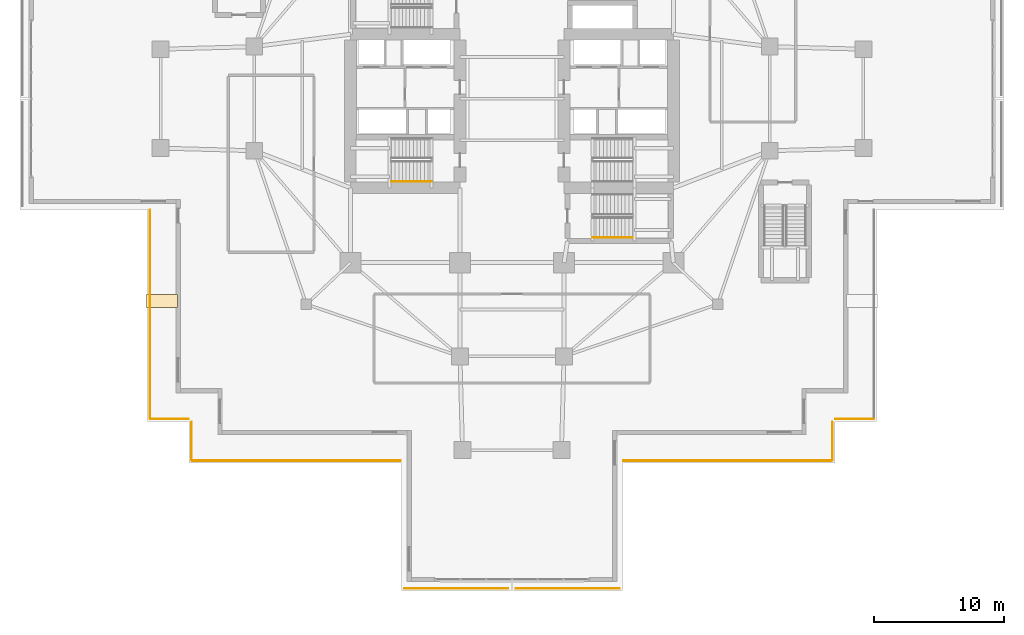
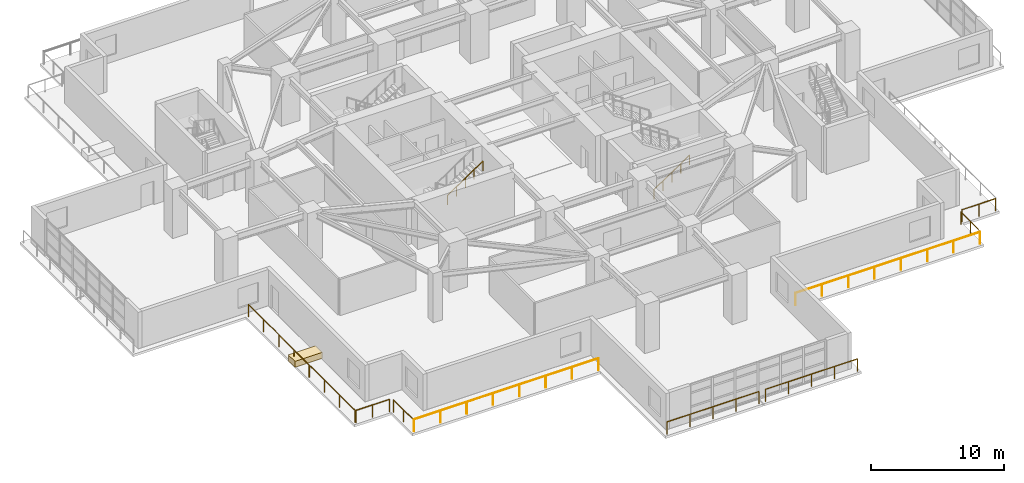
# One storey, part 19 of 24: 11 railings, 1 covering.
"""IFC4 building model written with IfcOpenShell, lengths in metres."""

from ifc_helpers import new_model, si_unit, direction, frame, origin, origin_2d, place, context, subcontext, project, spatial, rectangle, circle, extrude, material, layer, layer_set, type_object, element, save


model = new_model("IFC4")

# Units and contexts
model_context = context("Model", 3, precision=1e-05, world=origin(), true_north=direction((0.0, 1.0)))
body_context = subcontext(model_context, "Body", "Model", "MODEL_VIEW")
ifc_project = project(units=[si_unit("LENGTHUNIT", "METRE"), si_unit("AREAUNIT", "SQUARE_METRE"), si_unit("VOLUMEUNIT", "CUBIC_METRE"), si_unit("PLANEANGLEUNIT", "RADIAN"), si_unit("MASSUNIT", "GRAM", prefix="KILO")], contexts=[model_context])

# Site, building, storey
site_placement = place(None, origin())
site = spatial("IfcSite", under=ifc_project, at=site_placement, CompositionType="ELEMENT")
building_placement = place(site_placement, origin())
building = spatial("IfcBuilding", under=site, at=building_placement, Name="Qingluan Cross Belvedere", CompositionType="ELEMENT")
storey_placement = place(building_placement, frame((0.0, 0.0, 14.699951171875)))
storey = spatial("IfcBuildingStorey", under=building, at=storey_placement, Name="L04", CompositionType="ELEMENT", Elevation=14.699951171875)

# Railings
ifc_material_1 = material(Name="Brushed stainless steel tubular handrail", Category="steel")
railing_type_1 = type_object("IfcRailingType", Name="StairPitchHandrail_900", PredefinedType="HANDRAIL", material=ifc_material_1)
for number, where, name in (
    (1, (-9.260009765625, -6.35009765625, 2.4375), "L04 ST1 stair handrail 2"),
    (2, (6.179931640625, -10.669921875, 0.1875), "L04 ST4 stair handrail 1"),
):
    element("IfcRailing", number, at=place(storey_placement, frame(where)), inside=storey, type_object=railing_type_1, Name=name, PredefinedType="HANDRAIL", context=body_context, shape_type="SweptSolid", body=[
        extrude(circle(Radius=0.02392578125, at=origin_2d()), frame((0.0, 0.0, 0.8759765625), z_axis=(0.830913701846, 0.0, 0.55640131208), x_axis=(0.0, 1.0, 0.0)), (0.0, 0.0, 1.0), 3.706787109375),
        extrude(circle(Radius=0.02099609375, at=origin_2d()), origin(), (0.0, 0.0, 1.0), 0.851806640625),
        extrude(circle(Radius=0.02099609375, at=origin_2d()), frame((0.77001953125, 0.0, 0.515625)), (0.0, 0.0, 1.0), 0.851806640625),
        extrude(circle(Radius=0.02099609375, at=origin_2d()), frame((1.5400390625, 0.0, 1.03125)), (0.0, 0.0, 1.0), 0.851806640625),
        extrude(circle(Radius=0.02099609375, at=origin_2d()), frame((2.31005859375, 0.0, 1.546875)), (0.0, 0.0, 1.0), 0.851806640625),
        extrude(circle(Radius=0.02099609375, at=origin_2d()), frame((3.080078125, 0.0, 2.0625)), (0.0, 0.0, 1.0), 0.851806640625),
    ])
ifc_material_2 = material(Name="Laminated glass and stainless steel balustrade", Category="steel")
railing_type_2 = type_object("IfcRailingType", Name="TerraceGuardBalustrade_1150", PredefinedType="BALUSTRADE", material=ifc_material_2)
railing_1_placement = place(storey_placement, frame((-0.2900390625, -37.6201171875, 0.0)))
element("IfcRailing", 3, at=railing_1_placement, inside=storey, type_object=railing_type_2, Name="Terrace guard L04-1", PredefinedType="BALUSTRADE", context=body_context, shape_type="SweptSolid", body=[
    extrude(circle(Radius=0.02392578125, at=origin_2d()), frame((0.0, 0.0, 1.1259765625), z_axis=(-1.0, 0.0, 0.0), x_axis=(0.0, -1.0, 0.0)), (0.0, 0.0, 1.0), 7.969970703125),
    extrude(circle(Radius=0.02099609375, at=origin_2d()), origin(), (0.0, 0.0, 1.0), 1.101806640625),
    extrude(circle(Radius=0.02099609375, at=origin_2d()), frame((-1.992431640625, 0.0, 0.0)), (0.0, 0.0, 1.0), 1.101806640625),
    extrude(circle(Radius=0.02099609375, at=origin_2d()), frame((-3.98486328125, 0.0, 0.0)), (0.0, 0.0, 1.0), 1.101806640625),
    extrude(circle(Radius=0.02099609375, at=origin_2d()), frame((-5.9775390625, 0.0, 0.0)), (0.0, 0.0, 1.0), 1.101806640625),
    extrude(circle(Radius=0.02099609375, at=origin_2d()), frame((-7.969970703125, 0.0, 0.0)), (0.0, 0.0, 1.0), 1.101806640625),
])
railing_2_placement = place(storey_placement, frame((-8.56005859375, -27.820068359375, 0.0)))
element("IfcRailing", 4, at=railing_2_placement, inside=storey, type_object=railing_type_2, Name="Terrace guard L04-2", PredefinedType="BALUSTRADE", context=body_context, shape_type="SweptSolid", body=[
    extrude(circle(Radius=0.02392578125, at=origin_2d()), frame((0.0, 0.0, 1.1259765625), z_axis=(-1.0, 0.0, 0.0), x_axis=(0.0, -1.0, 0.0)), (0.0, 0.0, 1.0), 16.0),
    extrude(circle(Radius=0.02099609375, at=origin_2d()), origin(), (0.0, 0.0, 1.0), 1.101806640625),
    extrude(circle(Radius=0.02099609375, at=origin_2d()), frame((-2.28564453125, 0.0, 0.0)), (0.0, 0.0, 1.0), 1.101806640625),
    extrude(circle(Radius=0.02099609375, at=origin_2d()), frame((-4.571533203125, 0.0, 0.0)), (0.0, 0.0, 1.0), 1.101806640625),
    extrude(circle(Radius=0.02099609375, at=origin_2d()), frame((-6.857177734375, 0.0, 0.0)), (0.0, 0.0, 1.0), 1.101806640625),
    extrude(circle(Radius=0.02099609375, at=origin_2d()), frame((-9.142822265625, 0.0, 0.0)), (0.0, 0.0, 1.0), 1.101806640625),
    extrude(circle(Radius=0.02099609375, at=origin_2d()), frame((-11.428466796875, 0.0, 0.0)), (0.0, 0.0, 1.0), 1.101806640625),
    extrude(circle(Radius=0.02099609375, at=origin_2d()), frame((-13.71435546875, 0.0, 0.0)), (0.0, 0.0, 1.0), 1.101806640625),
    extrude(circle(Radius=0.02099609375, at=origin_2d()), frame((-16.0, 0.0, 0.0)), (0.0, 0.0, 1.0), 1.101806640625),
])
railing_3_placement = place(storey_placement, frame((-24.6201171875, -27.760009765625, 0.0)))
element("IfcRailing", 5, at=railing_3_placement, inside=storey, type_object=railing_type_2, Name="Terrace guard L04-3", PredefinedType="BALUSTRADE", context=body_context, shape_type="SweptSolid", body=[
    extrude(circle(Radius=0.02392578125, at=origin_2d()), frame((0.0, 0.0, 1.1259765625), z_axis=(0.0, 1.0, 0.0), x_axis=(-1.0, 0.0, 0.0)), (0.0, 0.0, 1.0), 2.89990234375),
    extrude(circle(Radius=0.02099609375, at=origin_2d()), origin(), (0.0, 0.0, 1.0), 1.101806640625),
    extrude(circle(Radius=0.02099609375, at=origin_2d()), frame((0.0, 1.449951171875, 0.0)), (0.0, 0.0, 1.0), 1.101806640625),
    extrude(circle(Radius=0.02099609375, at=origin_2d()), frame((0.0, 2.89990234375, 0.0)), (0.0, 0.0, 1.0), 1.101806640625),
])
railing_4_placement = place(storey_placement, frame((-24.860107421875, -24.6201171875, 0.0)))
element("IfcRailing", 6, at=railing_4_placement, inside=storey, type_object=railing_type_2, Name="Terrace guard L04-4", PredefinedType="BALUSTRADE", context=body_context, shape_type="SweptSolid", body=[
    extrude(circle(Radius=0.02392578125, at=origin_2d()), frame((0.0, 0.0, 1.1259765625), z_axis=(-1.0, 0.0, 0.0), x_axis=(0.0, -1.0, 0.0)), (0.0, 0.0, 1.0), 2.89990234375),
    extrude(circle(Radius=0.02099609375, at=origin_2d()), origin(), (0.0, 0.0, 1.0), 1.101806640625),
    extrude(circle(Radius=0.02099609375, at=origin_2d()), frame((-1.449951171875, 0.0, 0.0)), (0.0, 0.0, 1.0), 1.101806640625),
    extrude(circle(Radius=0.02099609375, at=origin_2d()), frame((-2.89990234375, 0.0, 0.0)), (0.0, 0.0, 1.0), 1.101806640625),
])
railing_5_placement = place(storey_placement, frame((-27.820068359375, -24.56005859375, 0.0)))
element("IfcRailing", 7, at=railing_5_placement, inside=storey, type_object=railing_type_2, Name="Terrace guard L04-5", PredefinedType="BALUSTRADE", context=body_context, shape_type="SweptSolid", body=[
    extrude(circle(Radius=0.02392578125, at=origin_2d()), frame((0.0, 0.0, 1.1259765625), z_axis=(0.0, 1.0, 0.0), x_axis=(-1.0, 0.0, 0.0)), (0.0, 0.0, 1.0), 16.0),
    extrude(circle(Radius=0.02099609375, at=origin_2d()), origin(), (0.0, 0.0, 1.0), 1.101806640625),
    extrude(circle(Radius=0.02099609375, at=origin_2d()), frame((0.0, 2.28564453125, 0.0)), (0.0, 0.0, 1.0), 1.101806640625),
    extrude(circle(Radius=0.02099609375, at=origin_2d()), frame((0.0, 4.571533203125, 0.0)), (0.0, 0.0, 1.0), 1.101806640625),
    extrude(circle(Radius=0.02099609375, at=origin_2d()), frame((0.0, 6.857177734375, 0.0)), (0.0, 0.0, 1.0), 1.101806640625),
    extrude(circle(Radius=0.02099609375, at=origin_2d()), frame((0.0, 9.142822265625, 0.0)), (0.0, 0.0, 1.0), 1.101806640625),
    extrude(circle(Radius=0.02099609375, at=origin_2d()), frame((0.0, 11.428466796875, 0.0)), (0.0, 0.0, 1.0), 1.101806640625),
    extrude(circle(Radius=0.02099609375, at=origin_2d()), frame((0.0, 13.71435546875, 0.0)), (0.0, 0.0, 1.0), 1.101806640625),
    extrude(circle(Radius=0.02099609375, at=origin_2d()), frame((0.0, 16.0, 0.0)), (0.0, 0.0, 1.0), 1.101806640625),
])
railing_6_placement = place(storey_placement, frame((8.260009765625, -37.6201171875, 0.0)))
element("IfcRailing", 8, at=railing_6_placement, inside=storey, type_object=railing_type_2, Name="Terrace guard L04-1", PredefinedType="BALUSTRADE", context=body_context, shape_type="SweptSolid", body=[
    extrude(circle(Radius=0.02392578125, at=origin_2d()), frame((0.0, 0.0, 1.1259765625), z_axis=(-1.0, 0.0, 0.0), x_axis=(0.0, -1.0, 0.0)), (0.0, 0.0, 1.0), 7.969970703125),
    extrude(circle(Radius=0.02099609375, at=origin_2d()), origin(), (0.0, 0.0, 1.0), 1.101806640625),
    extrude(circle(Radius=0.02099609375, at=origin_2d()), frame((-1.992431640625, 0.0, 0.0)), (0.0, 0.0, 1.0), 1.101806640625),
    extrude(circle(Radius=0.02099609375, at=origin_2d()), frame((-3.98486328125, 0.0, 0.0)), (0.0, 0.0, 1.0), 1.101806640625),
    extrude(circle(Radius=0.02099609375, at=origin_2d()), frame((-5.9775390625, 0.0, 0.0)), (0.0, 0.0, 1.0), 1.101806640625),
    extrude(circle(Radius=0.02099609375, at=origin_2d()), frame((-7.969970703125, 0.0, 0.0)), (0.0, 0.0, 1.0), 1.101806640625),
])
railing_7_placement = place(storey_placement, frame((27.760009765625, -24.6201171875, 0.0)))
element("IfcRailing", 9, at=railing_7_placement, inside=storey, type_object=railing_type_2, Name="Terrace guard L04-4", PredefinedType="BALUSTRADE", context=body_context, shape_type="SweptSolid", body=[
    extrude(circle(Radius=0.02392578125, at=origin_2d()), frame((0.0, 0.0, 1.1259765625), z_axis=(-1.0, 0.0, 0.0), x_axis=(0.0, -1.0, 0.0)), (0.0, 0.0, 1.0), 2.89990234375),
    extrude(circle(Radius=0.02099609375, at=origin_2d()), origin(), (0.0, 0.0, 1.0), 1.101806640625),
    extrude(circle(Radius=0.02099609375, at=origin_2d()), frame((-1.449951171875, 0.0, 0.0)), (0.0, 0.0, 1.0), 1.101806640625),
    extrude(circle(Radius=0.02099609375, at=origin_2d()), frame((-2.89990234375, 0.0, 0.0)), (0.0, 0.0, 1.0), 1.101806640625),
])
railing_8_placement = place(storey_placement, frame((24.6201171875, -24.860107421875, 0.0)))
element("IfcRailing", 10, at=railing_8_placement, inside=storey, type_object=railing_type_2, Name="Terrace guard L04-5", PredefinedType="BALUSTRADE", context=body_context, shape_type="SweptSolid", body=[
    extrude(circle(Radius=0.02392578125, at=origin_2d()), frame((0.0, 0.0, 1.1259765625), z_axis=(0.0, -1.0, 0.0), x_axis=(1.0, 0.0, 0.0)), (0.0, 0.0, 1.0), 2.89990234375),
    extrude(circle(Radius=0.02099609375, at=origin_2d()), origin(), (0.0, 0.0, 1.0), 1.101806640625),
    extrude(circle(Radius=0.02099609375, at=origin_2d()), frame((0.0, -1.449951171875, 0.0)), (0.0, 0.0, 1.0), 1.101806640625),
    extrude(circle(Radius=0.02099609375, at=origin_2d()), frame((0.0, -2.89990234375, 0.0)), (0.0, 0.0, 1.0), 1.101806640625),
])
railing_9_placement = place(storey_placement, frame((24.56005859375, -27.820068359375, 0.0)))
element("IfcRailing", 11, at=railing_9_placement, inside=storey, type_object=railing_type_2, Name="Terrace guard L04-6", PredefinedType="BALUSTRADE", context=body_context, shape_type="SweptSolid", body=[
    extrude(circle(Radius=0.02392578125, at=origin_2d()), frame((0.0, 0.0, 1.1259765625), z_axis=(-1.0, 0.0, 0.0), x_axis=(0.0, -1.0, 0.0)), (0.0, 0.0, 1.0), 16.0),
    extrude(circle(Radius=0.02099609375, at=origin_2d()), origin(), (0.0, 0.0, 1.0), 1.101806640625),
    extrude(circle(Radius=0.02099609375, at=origin_2d()), frame((-2.28564453125, 0.0, 0.0)), (0.0, 0.0, 1.0), 1.101806640625),
    extrude(circle(Radius=0.02099609375, at=origin_2d()), frame((-4.571533203125, 0.0, 0.0)), (0.0, 0.0, 1.0), 1.101806640625),
    extrude(circle(Radius=0.02099609375, at=origin_2d()), frame((-6.857177734375, 0.0, 0.0)), (0.0, 0.0, 1.0), 1.101806640625),
    extrude(circle(Radius=0.02099609375, at=origin_2d()), frame((-9.142822265625, 0.0, 0.0)), (0.0, 0.0, 1.0), 1.101806640625),
    extrude(circle(Radius=0.02099609375, at=origin_2d()), frame((-11.428466796875, 0.0, 0.0)), (0.0, 0.0, 1.0), 1.101806640625),
    extrude(circle(Radius=0.02099609375, at=origin_2d()), frame((-13.71435546875, 0.0, 0.0)), (0.0, 0.0, 1.0), 1.101806640625),
    extrude(circle(Radius=0.02099609375, at=origin_2d()), frame((-16.0, 0.0, 0.0)), (0.0, 0.0, 1.0), 1.101806640625),
])

# Covering
ifc_material_3 = material(Name="Precast concrete C40", Category="concrete")
ifc_layer = layer(ifc_material_3, 0.550048828125, Name="TerracePlanterBox")
ifc_layer_set = layer_set([ifc_layer], Name="Precast concrete C40")
covering_type = type_object("IfcCoveringType", Name="TerracePlanterBox", PredefinedType="USERDEFINED", material=ifc_layer_set)
covering_placement = place(storey_placement, frame((-26.909912109375, -15.552001953125, 0.0), z_axis=(0.0, 0.0, 1.0), x_axis=(1.0, 0.0, 0.0)))
element("IfcCovering", 12, at=covering_placement, inside=storey, type_object=covering_type, Name="Cascading garden terrace planter L04-3", ObjectType="PLANTER", PredefinedType="USERDEFINED", context=body_context, shape_type="SweptSolid", body=[
    extrude(rectangle(XDim=2.39990234375, YDim=1.0, at=origin_2d()), origin(), (0.0, 0.0, 1.0), 0.550048828125),
])

save(model, "model.ifc")
